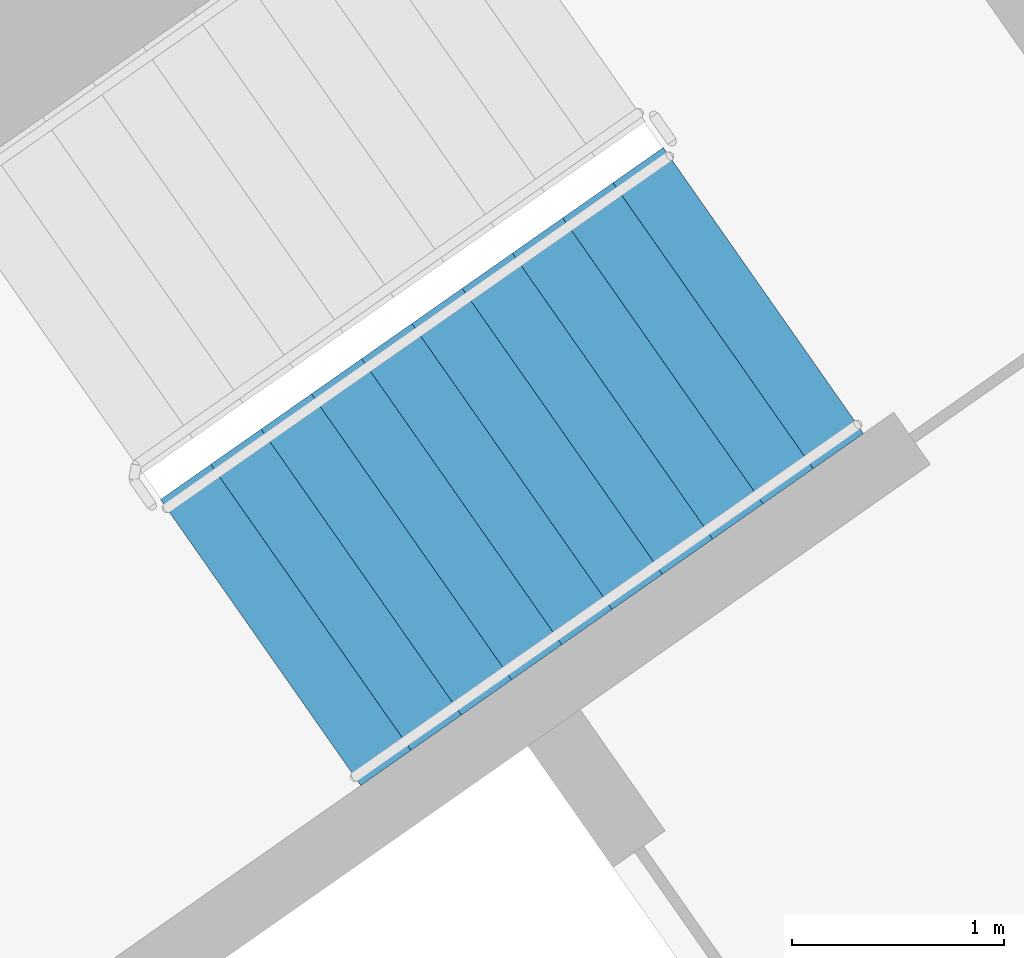
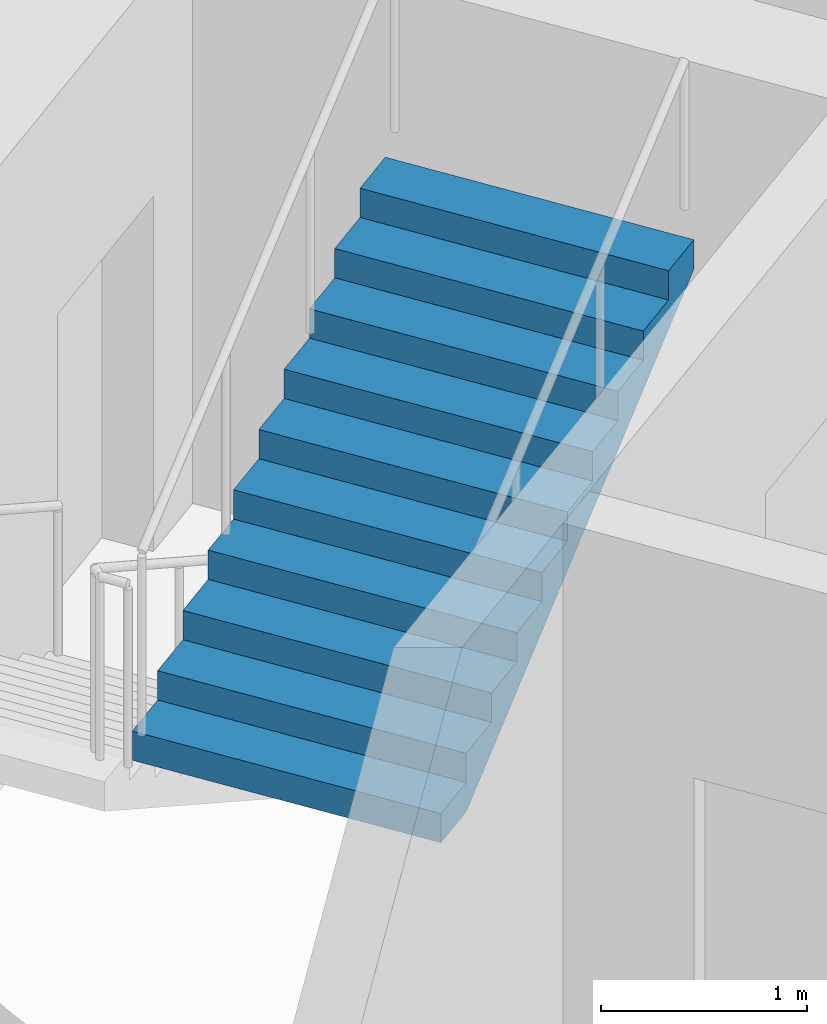
# One storey, part 14 of 28: 1 stair flight, 1 element without a shape of its own.
"""IFC4 building model written with IfcOpenShell, lengths in metres."""

from ifc_helpers import new_model, si_unit, direction, frame, origin, place, context, subcontext, project, spatial, faceted_brep, material, type_object, element, aggregate, save


model = new_model("IFC4")

# Units and contexts
model_context = context("Model", 3, precision=1e-05, world=origin(), true_north=direction((0.0, 1.0)))
body_context = subcontext(model_context, "Body", "Model", "MODEL_VIEW")
ifc_project = project(units=[si_unit("LENGTHUNIT", "METRE"), si_unit("AREAUNIT", "SQUARE_METRE"), si_unit("VOLUMEUNIT", "CUBIC_METRE"), si_unit("PLANEANGLEUNIT", "RADIAN"), si_unit("MASSUNIT", "GRAM", prefix="KILO")], contexts=[model_context])

# Site, building, storey
site_placement = place(None, origin())
site = spatial("IfcSite", under=ifc_project, at=site_placement, CompositionType="ELEMENT")
building_placement = place(site_placement, origin())
building = spatial("IfcBuilding", under=site, at=building_placement, Name="Qamariyya Broadcast Tower", CompositionType="ELEMENT")
storey_placement = place(building_placement, frame((0.0, 0.0, 249.300048828125)))
storey = spatial("IfcBuildingStorey", under=building, at=storey_placement, Name="L60", CompositionType="ELEMENT", Elevation=249.300048828125)

# Stair, stair flight
ifc_material = material(Name="Concrete C50/60", Category="concrete")
stair_type = type_object("IfcStairType", Name="Exit stair 22 risers of 173 mm", PredefinedType="HALF_TURN_STAIR", material=ifc_material)
stair_placement = place(storey_placement, origin())
stair = element("IfcStair", 1, at=stair_placement, inside=storey, type_object=stair_type, Name="L60 Stair E2", PredefinedType="HALF_TURN_STAIR")
stair_flight_type = type_object("IfcStairFlightType", Name="Exit stair flight 11 risers of 173 mm", PredefinedType="STRAIGHT", material=ifc_material)
stair_flight_placement = place(storey_placement, frame((39.215576171875, -50.822998046875, 1.89990234375), z_axis=(0.0, 0.0, 1.0), x_axis=(0.819152044289, 0.573576436351, 0.0)))
stair_flight = element("IfcStairFlight", 2, at=stair_flight_placement, type_object=stair_flight_type, Name="ST-E2 flight 2", NumberOfRisers=11, NumberOfTreads=10, PredefinedType="STRAIGHT", RiserHeight=0.172727273, TreadLength=0.29, context=body_context, shape_type="Brep", body=[
    faceted_brep([(0.0, 0.824951171875, 0.0), (0.0, 0.824951171875, 0.172607421875), (0.2900390625, 0.824951171875, 0.172607421875), (0.2900390625, 0.824951171875, 0.345458984375), (0.580078125, 0.824951171875, 0.345458984375), (0.580078125, 0.824951171875, 0.51806640625), (0.8701171875, 0.824951171875, 0.51806640625), (0.8701171875, 0.824951171875, 0.69091796875), (1.159912109375, 0.824951171875, 0.69091796875), (1.159912109375, 0.824951171875, 0.863525390625), (1.449951171875, 0.824951171875, 0.863525390625), (1.449951171875, 0.824951171875, 1.036376953125), (1.739990234375, 0.824951171875, 1.036376953125), (1.739990234375, 0.824951171875, 1.208984375), (2.030029296875, 0.824951171875, 1.208984375), (2.030029296875, 0.824951171875, 1.3818359375), (2.320068359375, 0.824951171875, 1.3818359375), (2.320068359375, 0.824951171875, 1.554443359375), (2.610107421875, 0.824951171875, 1.554443359375), (2.610107421875, 0.824951171875, 1.727294921875), (2.89990234375, 0.824951171875, 1.727294921875), (2.89990234375, 0.824951171875, 1.552734375), (0.29296875, 0.824951171875, 0.0), (0.29296875, -0.824951171875, 0.0), (2.89990234375, -0.824951171875, 1.552734375), (2.89990234375, -0.824951171875, 1.727294921875), (2.610107421875, -0.824951171875, 1.727294921875), (2.610107421875, -0.824951171875, 1.554443359375), (2.320068359375, -0.824951171875, 1.554443359375), (2.320068359375, -0.824951171875, 1.3818359375), (2.030029296875, -0.824951171875, 1.3818359375), (2.030029296875, -0.824951171875, 1.208984375), (1.739990234375, -0.824951171875, 1.208984375), (1.739990234375, -0.824951171875, 1.036376953125), (1.449951171875, -0.824951171875, 1.036376953125), (1.449951171875, -0.824951171875, 0.863525390625), (1.159912109375, -0.824951171875, 0.863525390625), (1.159912109375, -0.824951171875, 0.69091796875), (0.8701171875, -0.824951171875, 0.69091796875), (0.8701171875, -0.824951171875, 0.51806640625), (0.580078125, -0.824951171875, 0.51806640625), (0.580078125, -0.824951171875, 0.345458984375), (0.2900390625, -0.824951171875, 0.345458984375), (0.2900390625, -0.824951171875, 0.172607421875), (0.0, -0.824951171875, 0.172607421875), (0.0, -0.824951171875, 0.0), (0.0, 0.10009765625, 0.0), (0.0, 0.086669921875, 0.0), (0.0, 0.0732421875, 0.0), (0.0, 0.06005859375, 0.0), (0.0, 0.046630859375, 0.0), (0.0, 0.033447265625, 0.0), (0.0, 0.02001953125, 0.0), (0.0, 0.006591796875, 0.0), (0.0, -0.006591796875, 0.0), (0.0, -0.02001953125, 0.0), (0.0, -0.033447265625, 0.0), (0.0, -0.046630859375, 0.0), (0.0, -0.06005859375, 0.0), (0.0, -0.0732421875, 0.0), (0.0, -0.086669921875, 0.0), (0.0, -0.10009765625, 0.0), (0.0, -0.10009765625, 0.172607421875), (0.0, -0.086669921875, 0.172607421875), (0.0, -0.0732421875, 0.172607421875), (0.0, -0.06005859375, 0.172607421875), (0.0, -0.046630859375, 0.172607421875), (0.0, -0.033447265625, 0.172607421875), (0.0, -0.02001953125, 0.172607421875), (0.0, -0.006591796875, 0.172607421875), (0.0, 0.006591796875, 0.172607421875), (0.0, 0.02001953125, 0.172607421875), (0.0, 0.033447265625, 0.172607421875), (0.0, 0.046630859375, 0.172607421875), (0.0, 0.06005859375, 0.172607421875), (0.0, 0.0732421875, 0.172607421875), (0.0, 0.086669921875, 0.172607421875), (0.0, 0.10009765625, 0.172607421875), (0.2900390625, -0.10009765625, 0.172607421875), (0.2900390625, -0.086669921875, 0.172607421875), (0.2900390625, -0.0732421875, 0.172607421875), (0.2900390625, -0.06005859375, 0.172607421875), (0.2900390625, -0.046630859375, 0.172607421875), (0.2900390625, -0.033447265625, 0.172607421875), (0.2900390625, -0.02001953125, 0.172607421875), (0.2900390625, -0.006591796875, 0.172607421875), (0.2900390625, 0.006591796875, 0.172607421875), (0.2900390625, 0.02001953125, 0.172607421875), (0.2900390625, 0.033447265625, 0.172607421875), (0.2900390625, 0.046630859375, 0.172607421875), (0.2900390625, 0.06005859375, 0.172607421875), (0.2900390625, 0.0732421875, 0.172607421875), (0.2900390625, 0.086669921875, 0.172607421875), (0.2900390625, 0.10009765625, 0.172607421875), (0.2900390625, -0.10009765625, 0.345458984375), (0.2900390625, -0.086669921875, 0.345458984375), (0.2900390625, -0.0732421875, 0.345458984375), (0.2900390625, -0.06005859375, 0.345458984375), (0.2900390625, -0.046630859375, 0.345458984375), (0.2900390625, -0.033447265625, 0.345458984375), (0.2900390625, -0.02001953125, 0.345458984375), (0.2900390625, -0.006591796875, 0.345458984375), (0.2900390625, 0.006591796875, 0.345458984375), (0.2900390625, 0.02001953125, 0.345458984375), (0.2900390625, 0.033447265625, 0.345458984375), (0.2900390625, 0.046630859375, 0.345458984375), (0.2900390625, 0.06005859375, 0.345458984375), (0.2900390625, 0.0732421875, 0.345458984375), (0.2900390625, 0.086669921875, 0.345458984375), (0.2900390625, 0.10009765625, 0.345458984375), (0.580078125, -0.10009765625, 0.345458984375), (0.580078125, -0.086669921875, 0.345458984375), (0.580078125, -0.0732421875, 0.345458984375), (0.580078125, -0.06005859375, 0.345458984375), (0.580078125, -0.046630859375, 0.345458984375), (0.580078125, -0.033447265625, 0.345458984375), (0.580078125, -0.02001953125, 0.345458984375), (0.580078125, -0.006591796875, 0.345458984375), (0.580078125, 0.006591796875, 0.345458984375), (0.580078125, 0.02001953125, 0.345458984375), (0.580078125, 0.033447265625, 0.345458984375), (0.580078125, 0.046630859375, 0.345458984375), (0.580078125, 0.06005859375, 0.345458984375), (0.580078125, 0.0732421875, 0.345458984375), (0.580078125, 0.086669921875, 0.345458984375), (0.580078125, 0.10009765625, 0.345458984375), (0.580078125, -0.10009765625, 0.51806640625), (0.580078125, -0.086669921875, 0.51806640625), (0.580078125, -0.0732421875, 0.51806640625), (0.580078125, -0.06005859375, 0.51806640625), (0.580078125, -0.046630859375, 0.51806640625), (0.580078125, -0.033447265625, 0.51806640625), (0.580078125, -0.02001953125, 0.51806640625), (0.580078125, -0.006591796875, 0.51806640625), (0.580078125, 0.006591796875, 0.51806640625), (0.580078125, 0.02001953125, 0.51806640625), (0.580078125, 0.033447265625, 0.51806640625), (0.580078125, 0.046630859375, 0.51806640625), (0.580078125, 0.06005859375, 0.51806640625), (0.580078125, 0.0732421875, 0.51806640625), (0.580078125, 0.086669921875, 0.51806640625), (0.580078125, 0.10009765625, 0.51806640625), (0.8701171875, -0.10009765625, 0.51806640625), (0.8701171875, -0.086669921875, 0.51806640625), (0.8701171875, -0.0732421875, 0.51806640625), (0.8701171875, -0.06005859375, 0.51806640625), (0.8701171875, -0.046630859375, 0.51806640625), (0.8701171875, -0.033447265625, 0.51806640625), (0.8701171875, -0.02001953125, 0.51806640625), (0.8701171875, -0.006591796875, 0.51806640625), (0.8701171875, 0.006591796875, 0.51806640625), (0.8701171875, 0.02001953125, 0.51806640625), (0.8701171875, 0.033447265625, 0.51806640625), (0.8701171875, 0.046630859375, 0.51806640625), (0.8701171875, 0.06005859375, 0.51806640625), (0.8701171875, 0.0732421875, 0.51806640625), (0.8701171875, 0.086669921875, 0.51806640625), (0.8701171875, 0.10009765625, 0.51806640625), (0.8701171875, -0.10009765625, 0.69091796875), (0.8701171875, -0.086669921875, 0.69091796875), (0.8701171875, -0.0732421875, 0.69091796875), (0.8701171875, -0.06005859375, 0.69091796875), (0.8701171875, -0.046630859375, 0.69091796875), (0.8701171875, -0.033447265625, 0.69091796875), (0.8701171875, -0.02001953125, 0.69091796875), (0.8701171875, -0.006591796875, 0.69091796875), (0.8701171875, 0.006591796875, 0.69091796875), (0.8701171875, 0.02001953125, 0.69091796875), (0.8701171875, 0.033447265625, 0.69091796875), (0.8701171875, 0.046630859375, 0.69091796875), (0.8701171875, 0.06005859375, 0.69091796875), (0.8701171875, 0.0732421875, 0.69091796875), (0.8701171875, 0.086669921875, 0.69091796875), (0.8701171875, 0.10009765625, 0.69091796875), (1.159912109375, -0.10009765625, 0.69091796875), (1.159912109375, -0.086669921875, 0.69091796875), (1.159912109375, -0.0732421875, 0.69091796875), (1.159912109375, -0.06005859375, 0.69091796875), (1.159912109375, -0.046630859375, 0.69091796875), (1.159912109375, -0.033447265625, 0.69091796875), (1.159912109375, -0.02001953125, 0.69091796875), (1.159912109375, -0.006591796875, 0.69091796875), (1.159912109375, 0.006591796875, 0.69091796875), (1.159912109375, 0.02001953125, 0.69091796875), (1.159912109375, 0.033447265625, 0.69091796875), (1.159912109375, 0.046630859375, 0.69091796875), (1.159912109375, 0.06005859375, 0.69091796875), (1.159912109375, 0.0732421875, 0.69091796875), (1.159912109375, 0.086669921875, 0.69091796875), (1.159912109375, 0.10009765625, 0.69091796875), (1.159912109375, -0.10009765625, 0.863525390625), (1.159912109375, -0.086669921875, 0.863525390625), (1.159912109375, -0.0732421875, 0.863525390625), (1.159912109375, -0.06005859375, 0.863525390625), (1.159912109375, -0.046630859375, 0.863525390625), (1.159912109375, -0.033447265625, 0.863525390625), (1.159912109375, -0.02001953125, 0.863525390625), (1.159912109375, -0.006591796875, 0.863525390625), (1.159912109375, 0.006591796875, 0.863525390625), (1.159912109375, 0.02001953125, 0.863525390625), (1.159912109375, 0.033447265625, 0.863525390625), (1.159912109375, 0.046630859375, 0.863525390625), (1.159912109375, 0.06005859375, 0.863525390625), (1.159912109375, 0.0732421875, 0.863525390625), (1.159912109375, 0.086669921875, 0.863525390625), (1.159912109375, 0.10009765625, 0.863525390625), (1.449951171875, -0.10009765625, 0.863525390625), (1.449951171875, -0.086669921875, 0.863525390625), (1.449951171875, -0.0732421875, 0.863525390625), (1.449951171875, -0.06005859375, 0.863525390625), (1.449951171875, -0.046630859375, 0.863525390625), (1.449951171875, -0.033447265625, 0.863525390625), (1.449951171875, -0.02001953125, 0.863525390625), (1.449951171875, -0.006591796875, 0.863525390625), (1.449951171875, 0.006591796875, 0.863525390625), (1.449951171875, 0.02001953125, 0.863525390625), (1.449951171875, 0.033447265625, 0.863525390625), (1.449951171875, 0.046630859375, 0.863525390625), (1.449951171875, 0.06005859375, 0.863525390625), (1.449951171875, 0.0732421875, 0.863525390625), (1.449951171875, 0.086669921875, 0.863525390625), (1.449951171875, 0.10009765625, 0.863525390625), (1.449951171875, -0.10009765625, 1.036376953125), (1.449951171875, -0.086669921875, 1.036376953125), (1.449951171875, -0.0732421875, 1.036376953125), (1.449951171875, -0.06005859375, 1.036376953125), (1.449951171875, -0.046630859375, 1.036376953125), (1.449951171875, -0.033447265625, 1.036376953125), (1.449951171875, -0.02001953125, 1.036376953125), (1.449951171875, -0.006591796875, 1.036376953125), (1.449951171875, 0.006591796875, 1.036376953125), (1.449951171875, 0.02001953125, 1.036376953125), (1.449951171875, 0.033447265625, 1.036376953125), (1.449951171875, 0.046630859375, 1.036376953125), (1.449951171875, 0.06005859375, 1.036376953125), (1.449951171875, 0.0732421875, 1.036376953125), (1.449951171875, 0.086669921875, 1.036376953125), (1.449951171875, 0.10009765625, 1.036376953125), (1.739990234375, -0.10009765625, 1.036376953125), (1.739990234375, -0.086669921875, 1.036376953125), (1.739990234375, -0.0732421875, 1.036376953125), (1.739990234375, -0.06005859375, 1.036376953125), (1.739990234375, -0.046630859375, 1.036376953125), (1.739990234375, -0.033447265625, 1.036376953125), (1.739990234375, -0.02001953125, 1.036376953125), (1.739990234375, -0.006591796875, 1.036376953125), (1.739990234375, 0.006591796875, 1.036376953125), (1.739990234375, 0.02001953125, 1.036376953125), (1.739990234375, 0.033447265625, 1.036376953125), (1.739990234375, 0.046630859375, 1.036376953125), (1.739990234375, 0.06005859375, 1.036376953125), (1.739990234375, 0.0732421875, 1.036376953125), (1.739990234375, 0.086669921875, 1.036376953125), (1.739990234375, 0.10009765625, 1.036376953125), (1.739990234375, -0.10009765625, 1.208984375), (1.739990234375, -0.086669921875, 1.208984375), (1.739990234375, -0.0732421875, 1.208984375), (1.739990234375, -0.06005859375, 1.208984375), (1.739990234375, -0.046630859375, 1.208984375), (1.739990234375, -0.033447265625, 1.208984375), (1.739990234375, -0.02001953125, 1.208984375), (1.739990234375, -0.006591796875, 1.208984375), (1.739990234375, 0.006591796875, 1.208984375), (1.739990234375, 0.02001953125, 1.208984375), (1.739990234375, 0.033447265625, 1.208984375), (1.739990234375, 0.046630859375, 1.208984375), (1.739990234375, 0.06005859375, 1.208984375), (1.739990234375, 0.0732421875, 1.208984375), (1.739990234375, 0.086669921875, 1.208984375), (1.739990234375, 0.10009765625, 1.208984375), (2.030029296875, -0.10009765625, 1.208984375), (2.030029296875, -0.086669921875, 1.208984375), (2.030029296875, -0.0732421875, 1.208984375), (2.030029296875, -0.06005859375, 1.208984375), (2.030029296875, -0.046630859375, 1.208984375), (2.030029296875, -0.033447265625, 1.208984375), (2.030029296875, -0.02001953125, 1.208984375), (2.030029296875, -0.006591796875, 1.208984375), (2.030029296875, 0.006591796875, 1.208984375), (2.030029296875, 0.02001953125, 1.208984375), (2.030029296875, 0.033447265625, 1.208984375), (2.030029296875, 0.046630859375, 1.208984375), (2.030029296875, 0.06005859375, 1.208984375), (2.030029296875, 0.0732421875, 1.208984375), (2.030029296875, 0.086669921875, 1.208984375), (2.030029296875, 0.10009765625, 1.208984375), (2.030029296875, -0.10009765625, 1.3818359375), (2.030029296875, -0.086669921875, 1.3818359375), (2.030029296875, -0.0732421875, 1.3818359375), (2.030029296875, -0.06005859375, 1.3818359375), (2.030029296875, -0.046630859375, 1.3818359375), (2.030029296875, -0.033447265625, 1.3818359375), (2.030029296875, -0.02001953125, 1.3818359375), (2.030029296875, -0.006591796875, 1.3818359375), (2.030029296875, 0.006591796875, 1.3818359375), (2.030029296875, 0.02001953125, 1.3818359375), (2.030029296875, 0.033447265625, 1.3818359375), (2.030029296875, 0.046630859375, 1.3818359375), (2.030029296875, 0.06005859375, 1.3818359375), (2.030029296875, 0.0732421875, 1.3818359375), (2.030029296875, 0.086669921875, 1.3818359375), (2.030029296875, 0.10009765625, 1.3818359375), (2.320068359375, -0.10009765625, 1.3818359375), (2.320068359375, -0.086669921875, 1.3818359375), (2.320068359375, -0.0732421875, 1.3818359375), (2.320068359375, -0.06005859375, 1.3818359375), (2.320068359375, -0.046630859375, 1.3818359375), (2.320068359375, -0.033447265625, 1.3818359375), (2.320068359375, -0.02001953125, 1.3818359375), (2.320068359375, -0.006591796875, 1.3818359375), (2.320068359375, 0.006591796875, 1.3818359375), (2.320068359375, 0.02001953125, 1.3818359375), (2.320068359375, 0.033447265625, 1.3818359375), (2.320068359375, 0.046630859375, 1.3818359375), (2.320068359375, 0.06005859375, 1.3818359375), (2.320068359375, 0.0732421875, 1.3818359375), (2.320068359375, 0.086669921875, 1.3818359375), (2.320068359375, 0.10009765625, 1.3818359375), (2.320068359375, -0.10009765625, 1.554443359375), (2.320068359375, -0.086669921875, 1.554443359375), (2.320068359375, -0.0732421875, 1.554443359375), (2.320068359375, -0.06005859375, 1.554443359375), (2.320068359375, -0.046630859375, 1.554443359375), (2.320068359375, -0.033447265625, 1.554443359375), (2.320068359375, -0.02001953125, 1.554443359375), (2.320068359375, -0.006591796875, 1.554443359375), (2.320068359375, 0.006591796875, 1.554443359375), (2.320068359375, 0.02001953125, 1.554443359375), (2.320068359375, 0.033447265625, 1.554443359375), (2.320068359375, 0.046630859375, 1.554443359375), (2.320068359375, 0.06005859375, 1.554443359375), (2.320068359375, 0.0732421875, 1.554443359375), (2.320068359375, 0.086669921875, 1.554443359375), (2.320068359375, 0.10009765625, 1.554443359375), (2.610107421875, -0.10009765625, 1.554443359375), (2.610107421875, -0.086669921875, 1.554443359375), (2.610107421875, -0.0732421875, 1.554443359375), (2.610107421875, -0.06005859375, 1.554443359375), (2.610107421875, -0.046630859375, 1.554443359375), (2.610107421875, -0.033447265625, 1.554443359375), (2.610107421875, -0.02001953125, 1.554443359375), (2.610107421875, -0.006591796875, 1.554443359375), (2.610107421875, 0.006591796875, 1.554443359375), (2.610107421875, 0.02001953125, 1.554443359375), (2.610107421875, 0.033447265625, 1.554443359375), (2.610107421875, 0.046630859375, 1.554443359375), (2.610107421875, 0.06005859375, 1.554443359375), (2.610107421875, 0.0732421875, 1.554443359375), (2.610107421875, 0.086669921875, 1.554443359375), (2.610107421875, 0.10009765625, 1.554443359375), (2.610107421875, -0.10009765625, 1.727294921875), (2.610107421875, -0.086669921875, 1.727294921875), (2.610107421875, -0.0732421875, 1.727294921875), (2.610107421875, -0.06005859375, 1.727294921875), (2.610107421875, -0.046630859375, 1.727294921875), (2.610107421875, -0.033447265625, 1.727294921875), (2.610107421875, -0.02001953125, 1.727294921875), (2.610107421875, -0.006591796875, 1.727294921875), (2.610107421875, 0.006591796875, 1.727294921875), (2.610107421875, 0.02001953125, 1.727294921875), (2.610107421875, 0.033447265625, 1.727294921875), (2.610107421875, 0.046630859375, 1.727294921875), (2.610107421875, 0.06005859375, 1.727294921875), (2.610107421875, 0.0732421875, 1.727294921875), (2.610107421875, 0.086669921875, 1.727294921875), (2.610107421875, 0.10009765625, 1.727294921875), (2.89990234375, -0.10009765625, 1.727294921875), (2.89990234375, -0.086669921875, 1.727294921875), (2.89990234375, -0.0732421875, 1.727294921875), (2.89990234375, -0.06005859375, 1.727294921875), (2.89990234375, -0.046630859375, 1.727294921875), (2.89990234375, -0.033447265625, 1.727294921875), (2.89990234375, -0.02001953125, 1.727294921875), (2.89990234375, -0.006591796875, 1.727294921875), (2.89990234375, 0.006591796875, 1.727294921875), (2.89990234375, 0.02001953125, 1.727294921875), (2.89990234375, 0.033447265625, 1.727294921875), (2.89990234375, 0.046630859375, 1.727294921875), (2.89990234375, 0.06005859375, 1.727294921875), (2.89990234375, 0.0732421875, 1.727294921875), (2.89990234375, 0.086669921875, 1.727294921875), (2.89990234375, 0.10009765625, 1.727294921875), (2.89990234375, -0.10009765625, 1.552734375), (2.89990234375, -0.086669921875, 1.552734375), (2.89990234375, -0.0732421875, 1.552734375), (2.89990234375, -0.06005859375, 1.552734375), (2.89990234375, -0.046630859375, 1.552734375), (2.89990234375, -0.033447265625, 1.552734375), (2.89990234375, -0.02001953125, 1.552734375), (2.89990234375, -0.006591796875, 1.552734375), (2.89990234375, 0.006591796875, 1.552734375), (2.89990234375, 0.02001953125, 1.552734375), (2.89990234375, 0.033447265625, 1.552734375), (2.89990234375, 0.046630859375, 1.552734375), (2.89990234375, 0.06005859375, 1.552734375), (2.89990234375, 0.0732421875, 1.552734375), (2.89990234375, 0.086669921875, 1.552734375), (2.89990234375, 0.10009765625, 1.552734375), (0.29296875, -0.10009765625, 0.0), (0.29296875, -0.086669921875, 0.0), (0.29296875, -0.0732421875, 0.0), (0.29296875, -0.06005859375, 0.0), (0.29296875, -0.046630859375, 0.0), (0.29296875, -0.033447265625, 0.0), (0.29296875, -0.02001953125, 0.0), (0.29296875, -0.006591796875, 0.0), (0.29296875, 0.006591796875, 0.0), (0.29296875, 0.02001953125, 0.0), (0.29296875, 0.033447265625, 0.0), (0.29296875, 0.046630859375, 0.0), (0.29296875, 0.06005859375, 0.0), (0.29296875, 0.0732421875, 0.0), (0.29296875, 0.086669921875, 0.0), (0.29296875, 0.10009765625, 0.0)], [[[0, 1, 2, 3, 4, 5, 6, 7, 8, 9, 10, 11, 12, 13, 14, 15, 16, 17, 18, 19, 20, 21, 22]], [[23, 24, 25, 26, 27, 28, 29, 30, 31, 32, 33, 34, 35, 36, 37, 38, 39, 40, 41, 42, 43, 44, 45]], [[0, 46, 47, 48, 49, 50, 51, 52, 53, 54, 55, 56, 57, 58, 59, 60, 61, 45, 44, 62, 63, 64, 65, 66, 67, 68, 69, 70, 71, 72, 73, 74, 75, 76, 77, 1]], [[1, 77, 76, 75, 74, 73, 72, 71, 70, 69, 68, 67, 66, 65, 64, 63, 62, 44, 43, 78, 79, 80, 81, 82, 83, 84, 85, 86, 87, 88, 89, 90, 91, 92, 93, 2]], [[2, 93, 92, 91, 90, 89, 88, 87, 86, 85, 84, 83, 82, 81, 80, 79, 78, 43, 42, 94, 95, 96, 97, 98, 99, 100, 101, 102, 103, 104, 105, 106, 107, 108, 109, 3]], [[3, 109, 108, 107, 106, 105, 104, 103, 102, 101, 100, 99, 98, 97, 96, 95, 94, 42, 41, 110, 111, 112, 113, 114, 115, 116, 117, 118, 119, 120, 121, 122, 123, 124, 125, 4]], [[4, 125, 124, 123, 122, 121, 120, 119, 118, 117, 116, 115, 114, 113, 112, 111, 110, 41, 40, 126, 127, 128, 129, 130, 131, 132, 133, 134, 135, 136, 137, 138, 139, 140, 141, 5]], [[5, 141, 140, 139, 138, 137, 136, 135, 134, 133, 132, 131, 130, 129, 128, 127, 126, 40, 39, 142, 143, 144, 145, 146, 147, 148, 149, 150, 151, 152, 153, 154, 155, 156, 157, 6]], [[6, 157, 156, 155, 154, 153, 152, 151, 150, 149, 148, 147, 146, 145, 144, 143, 142, 39, 38, 158, 159, 160, 161, 162, 163, 164, 165, 166, 167, 168, 169, 170, 171, 172, 173, 7]], [[7, 173, 172, 171, 170, 169, 168, 167, 166, 165, 164, 163, 162, 161, 160, 159, 158, 38, 37, 174, 175, 176, 177, 178, 179, 180, 181, 182, 183, 184, 185, 186, 187, 188, 189, 8]], [[8, 189, 188, 187, 186, 185, 184, 183, 182, 181, 180, 179, 178, 177, 176, 175, 174, 37, 36, 190, 191, 192, 193, 194, 195, 196, 197, 198, 199, 200, 201, 202, 203, 204, 205, 9]], [[9, 205, 204, 203, 202, 201, 200, 199, 198, 197, 196, 195, 194, 193, 192, 191, 190, 36, 35, 206, 207, 208, 209, 210, 211, 212, 213, 214, 215, 216, 217, 218, 219, 220, 221, 10]], [[10, 221, 220, 219, 218, 217, 216, 215, 214, 213, 212, 211, 210, 209, 208, 207, 206, 35, 34, 222, 223, 224, 225, 226, 227, 228, 229, 230, 231, 232, 233, 234, 235, 236, 237, 11]], [[11, 237, 236, 235, 234, 233, 232, 231, 230, 229, 228, 227, 226, 225, 224, 223, 222, 34, 33, 238, 239, 240, 241, 242, 243, 244, 245, 246, 247, 248, 249, 250, 251, 252, 253, 12]], [[12, 253, 252, 251, 250, 249, 248, 247, 246, 245, 244, 243, 242, 241, 240, 239, 238, 33, 32, 254, 255, 256, 257, 258, 259, 260, 261, 262, 263, 264, 265, 266, 267, 268, 269, 13]], [[13, 269, 268, 267, 266, 265, 264, 263, 262, 261, 260, 259, 258, 257, 256, 255, 254, 32, 31, 270, 271, 272, 273, 274, 275, 276, 277, 278, 279, 280, 281, 282, 283, 284, 285, 14]], [[14, 285, 284, 283, 282, 281, 280, 279, 278, 277, 276, 275, 274, 273, 272, 271, 270, 31, 30, 286, 287, 288, 289, 290, 291, 292, 293, 294, 295, 296, 297, 298, 299, 300, 301, 15]], [[15, 301, 300, 299, 298, 297, 296, 295, 294, 293, 292, 291, 290, 289, 288, 287, 286, 30, 29, 302, 303, 304, 305, 306, 307, 308, 309, 310, 311, 312, 313, 314, 315, 316, 317, 16]], [[16, 317, 316, 315, 314, 313, 312, 311, 310, 309, 308, 307, 306, 305, 304, 303, 302, 29, 28, 318, 319, 320, 321, 322, 323, 324, 325, 326, 327, 328, 329, 330, 331, 332, 333, 17]], [[17, 333, 332, 331, 330, 329, 328, 327, 326, 325, 324, 323, 322, 321, 320, 319, 318, 28, 27, 334, 335, 336, 337, 338, 339, 340, 341, 342, 343, 344, 345, 346, 347, 348, 349, 18]], [[18, 349, 348, 347, 346, 345, 344, 343, 342, 341, 340, 339, 338, 337, 336, 335, 334, 27, 26, 350, 351, 352, 353, 354, 355, 356, 357, 358, 359, 360, 361, 362, 363, 364, 365, 19]], [[19, 365, 364, 363, 362, 361, 360, 359, 358, 357, 356, 355, 354, 353, 352, 351, 350, 26, 25, 366, 367, 368, 369, 370, 371, 372, 373, 374, 375, 376, 377, 378, 379, 380, 381, 20]], [[20, 381, 380, 379, 378, 377, 376, 375, 374, 373, 372, 371, 370, 369, 368, 367, 366, 25, 24, 382, 383, 384, 385, 386, 387, 388, 389, 390, 391, 392, 393, 394, 395, 396, 397, 21]], [[21, 397, 396, 395, 394, 393, 392, 391, 390, 389, 388, 387, 386, 385, 384, 383, 382, 24, 23, 398, 399, 400, 401, 402, 403, 404, 405, 406, 407, 408, 409, 410, 411, 412, 413, 22]], [[22, 413, 412, 411, 410, 409, 408, 407, 406, 405, 404, 403, 402, 401, 400, 399, 398, 23, 45, 61, 60, 59, 58, 57, 56, 55, 54, 53, 52, 51, 50, 49, 48, 47, 46, 0]]]),
])
aggregate(stair, [stair_flight])

save(model, "model.ifc")
